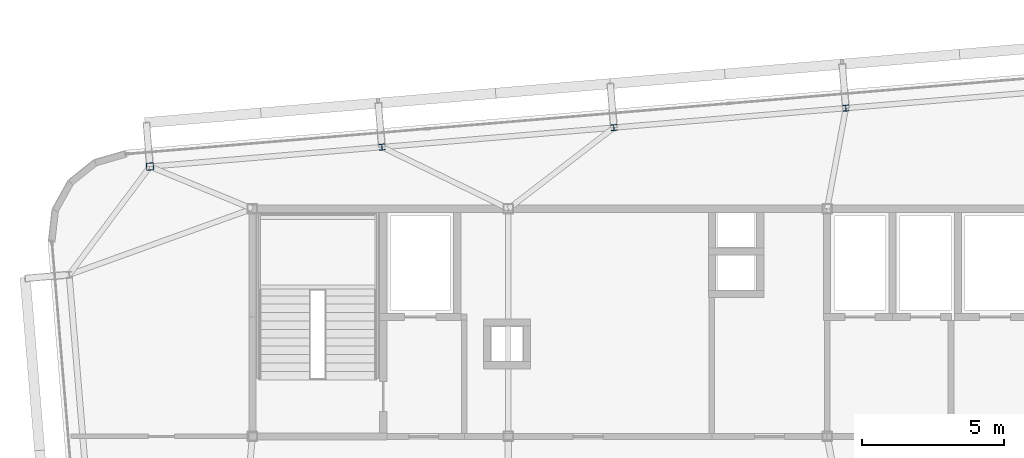
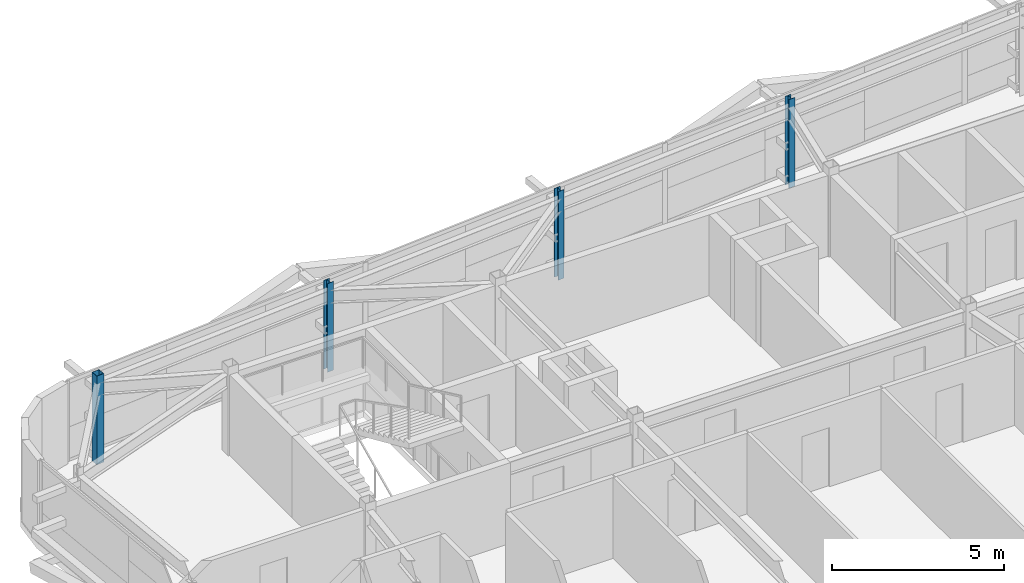
# One storey, part 5 of 39: 4 columns.
"""IFC4 building model written with IfcOpenShell, lengths in metres."""

from ifc_helpers import new_model, si_unit, direction, frame, origin, origin_2d, place, context, subcontext, project, spatial, hollow_rectangle, i_section, extrude, source, transform, mapped, material, material_profile, profile_set, type_object, element, save


model = new_model("IFC4")

# Units and contexts
model_context = context("Model", 3, precision=1e-05, world=origin(), true_north=direction((0.0, 1.0)))
body_context = subcontext(model_context, "Body", "Model", "MODEL_VIEW")
ifc_project = project(units=[si_unit("LENGTHUNIT", "METRE"), si_unit("AREAUNIT", "SQUARE_METRE"), si_unit("VOLUMEUNIT", "CUBIC_METRE"), si_unit("PLANEANGLEUNIT", "RADIAN"), si_unit("MASSUNIT", "GRAM", prefix="KILO")], contexts=[model_context])

# Site, building, storey
site_placement = place(None, origin())
site = spatial("IfcSite", under=ifc_project, at=site_placement, CompositionType="ELEMENT")
building_placement = place(site_placement, origin())
building = spatial("IfcBuilding", under=site, at=building_placement, Name="Taldren Reach Tower", CompositionType="ELEMENT")
storey_placement = place(building_placement, frame((0.0, 0.0, 204.050048828125)))
storey = spatial("IfcBuildingStorey", under=building, at=storey_placement, Name="L62", CompositionType="ELEMENT", Elevation=204.050048828125)

# Columns
ifc_material_1 = material(Name="Steel Gr 350 (C350L0)", Category="steel")
ifc_material_profile_1 = material_profile(ifc_material_1, hollow_rectangle(XDim=0.25, YDim=0.25, WallThickness=0.010009765625, at=origin_2d()), Name="250x250x10.0SHS")
ifc_profile_set_1 = profile_set([ifc_material_profile_1], Name="Steel Gr 350 (C350L0)")
column_type_1 = type_object("IfcColumnType", Name="COL-SHS250", PredefinedType="COLUMN", material=ifc_profile_set_1)
shared_shape_1 = source(origin(), body_context, "Body", "SweptSolid", [
    extrude(hollow_rectangle(XDim=0.25, YDim=0.25, WallThickness=0.010009765625, at=origin_2d()), origin(), (0.0, 0.0, 1.0), 3.14990234375),
])
column_placement = place(storey_placement, frame((15.40380859375, 33.483642578125, 0.0), z_axis=(0.0, 0.0, 1.0), x_axis=(0.99649285925, 0.083677843332, 0.0)))
element("IfcColumn", 1, at=column_placement, inside=storey, type_object=column_type_1, Name="Block B4 perimeter column N1 L62", PredefinedType="COLUMN", context=body_context, shape_type="MappedRepresentation", body=[
    mapped(shared_shape_1, transform((0.0, 0.0, 0.0), scale=1.0)),
])
ifc_material_2 = material(Name="Steel Gr 350 (350PLUS)", Category="steel")
ifc_material_profile_2 = material_profile(ifc_material_2, i_section(OverallWidth=0.205078125, OverallDepth=0.2099609375, WebThickness=0.00927734375, FlangeThickness=0.01416015625, at=origin_2d()), Name="200UC59.5")
ifc_profile_set_2 = profile_set([ifc_material_profile_2], Name="Steel Gr 350 (350PLUS)")
column_type_2 = type_object("IfcColumnType", Name="COL-UC200", PredefinedType="COLUMN", material=ifc_profile_set_2)
shared_shape_2 = source(origin(), body_context, "Body", "SweptSolid", [
    extrude(i_section(OverallWidth=0.205078125, OverallDepth=0.2099609375, WebThickness=0.00927734375, FlangeThickness=0.01416015625, at=origin_2d()), origin(), (0.0, 0.0, 1.0), 3.14990234375),
])
for number, where, z_axis, x_axis, name in (
    (2, (23.55517578125, 34.16796875, 0.0), (0.0, 0.0, 1.0), (0.99649285925, 0.083677843332, 0.0), "Block B4 perimeter column N2 L62"),
    (3, (31.706298828125, 34.8525390625, 0.0), (0.0, 0.0, 1.0), (0.99649285925, 0.083677843332, 0.0), "Block B4 perimeter column N3 L62"),
    (4, (39.857666015625, 35.537109375, 0.0), (0.0, 0.0, 1.0), (0.99649285925, 0.083677843332, 0.0), "Block B4 perimeter column N4 L62"),
):
    element("IfcColumn", number, at=place(storey_placement, frame(where, z_axis=z_axis, x_axis=x_axis)), inside=storey, type_object=column_type_2, Name=name, PredefinedType="COLUMN", context=body_context, shape_type="MappedRepresentation", body=[
        mapped(shared_shape_2, transform((0.0, 0.0, 0.0), scale=1.0)),
    ])

save(model, "model.ifc")
